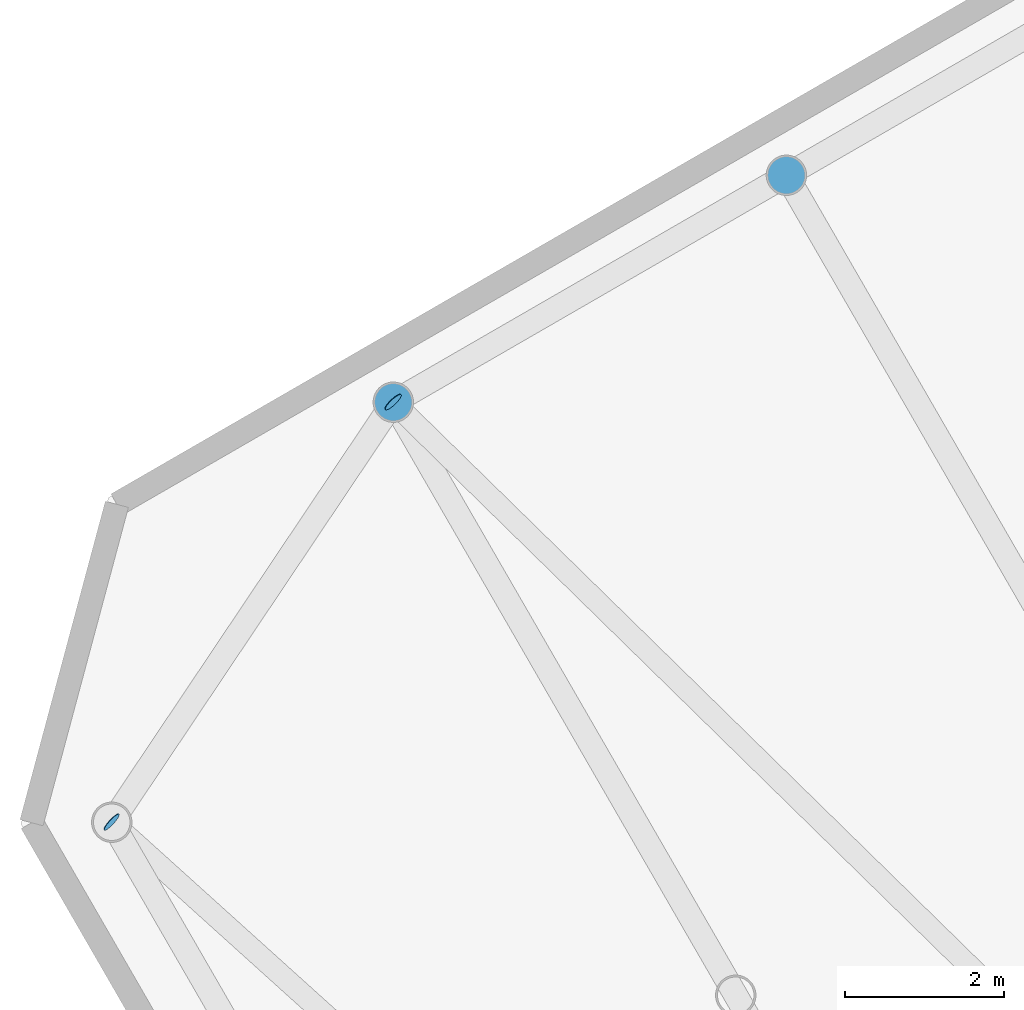
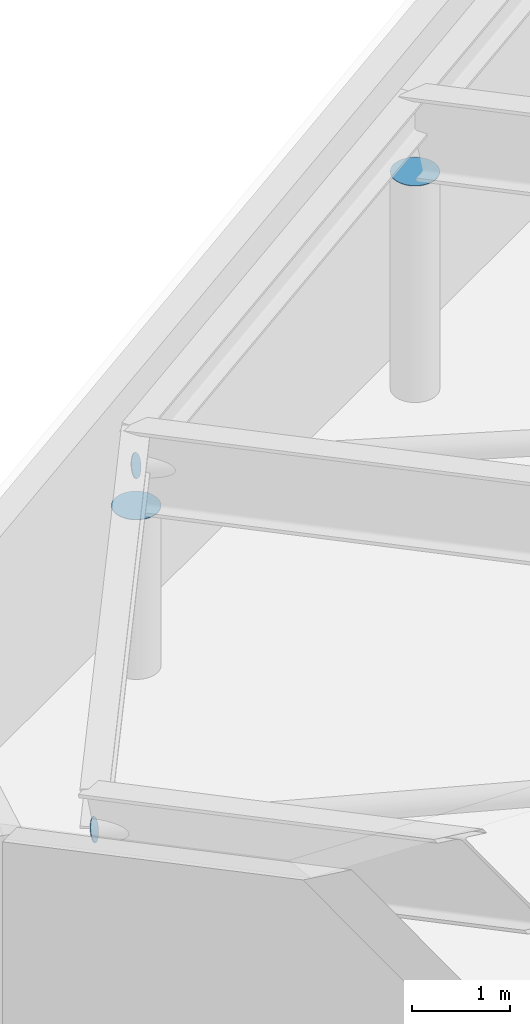
# One storey, part 4 of 5: 4 discrete accessories.
"""IFC4 building model written with IfcOpenShell, lengths in metres."""

from ifc_helpers import new_model, si_unit, direction, frame, origin, origin_2d, place, context, subcontext, project, spatial, circle, extrude, material, material_profile, profile_set, type_object, element, save


model = new_model("IFC4")

# Units and contexts
model_context = context("Model", 3, precision=1e-05, world=origin(), true_north=direction((0.0, 1.0)))
body_context = subcontext(model_context, "Body", "Model", "MODEL_VIEW")
ifc_project = project(units=[si_unit("LENGTHUNIT", "METRE"), si_unit("AREAUNIT", "SQUARE_METRE"), si_unit("VOLUMEUNIT", "CUBIC_METRE"), si_unit("PLANEANGLEUNIT", "RADIAN"), si_unit("MASSUNIT", "GRAM", prefix="KILO")], contexts=[model_context])

# Site, building, storey
site_placement = place(None, origin())
site = spatial("IfcSite", under=ifc_project, at=site_placement, CompositionType="ELEMENT")
building_placement = place(site_placement, origin())
building = spatial("IfcBuilding", under=site, at=building_placement, Name="Kosmar Iwan School Tower", CompositionType="ELEMENT")
storey_placement = place(building_placement, frame((0.0, 0.0, 301.0)))
storey = spatial("IfcBuildingStorey", under=building, at=storey_placement, Name="RF", CompositionType="ELEMENT", Elevation=301.0)

# Discrete accessories
ifc_material_1 = material(Name="Steel S355", Category="steel")
ifc_material_profile_1 = material_profile(ifc_material_1, circle(Radius=0.25390625, at=origin_2d()), Name="PL 508 DIA")
ifc_profile_set_1 = profile_set([ifc_material_profile_1], Name="Steel S355")
discrete_accessory_type_1 = type_object("IfcDiscreteAccessoryType", Name="Crown column cap plate", PredefinedType="USERDEFINED", material=ifc_profile_set_1)
for number, where, z_axis, x_axis, name in (
    (1, (-15.708740234375, 2.70849609375, 2.69970703125), (0.0, 0.0, 1.0), (1.0, 0.0, 0.0), "Crown column cap plate BR1"),
    (2, (-20.645263671875, -0.1416015625, 1.989013671875), (0.0, 0.0, 1.0), (1.0, 0.0, 0.0), "Crown column cap plate BR2"),
):
    element("IfcDiscreteAccessory", number, at=place(storey_placement, frame(where, z_axis=z_axis, x_axis=x_axis)), inside=storey, type_object=discrete_accessory_type_1, Name=name, ObjectType="TUBE END CAP PLATE", PredefinedType="USERDEFINED", context=body_context, shape_type="SweptSolid", body=[
        extrude(circle(Radius=0.25390625, at=origin_2d()), origin(), (0.0, 0.0, 1.0), 0.008056640625),
    ])
ifc_material_2 = material(Name="Steel S355", Category="steel")
ifc_material_profile_2 = material_profile(ifc_material_2, circle(Radius=0.136474609375, at=origin_2d()), Name="PL 273 DIA")
ifc_profile_set_2 = profile_set([ifc_material_profile_2], Name="Steel S355")
discrete_accessory_type_2 = type_object("IfcDiscreteAccessoryType", Name="Crown roof brace cap plate", PredefinedType="USERDEFINED", material=ifc_profile_set_2)
for number, where, z_axis, x_axis, name in (
    (3, (-20.645263671875, -0.1416015625, 2.4931640625), (-0.67037039887, 0.700841780636, -0.243771054134), (-0.722641857148, -0.691222645967, 0.0), "Crown roof brace cap plate BL1-BR2"),
    (4, (-24.181396484375, -5.41650390625, 2.386962890625), (-0.720684976246, 0.660627894892, -0.210199784738), (-0.675724628517, -0.737154140201, 0.0), "Crown roof brace cap plate BL2-BRTIP"),
):
    element("IfcDiscreteAccessory", number, at=place(storey_placement, frame(where, z_axis=z_axis, x_axis=x_axis)), inside=storey, type_object=discrete_accessory_type_2, Name=name, ObjectType="TUBE END CAP PLATE", PredefinedType="USERDEFINED", context=body_context, shape_type="SweptSolid", body=[
        extrude(circle(Radius=0.136474609375, at=origin_2d()), origin(), (0.0, 0.0, 1.0), 0.008056640625),
    ])

save(model, "model.ifc")
